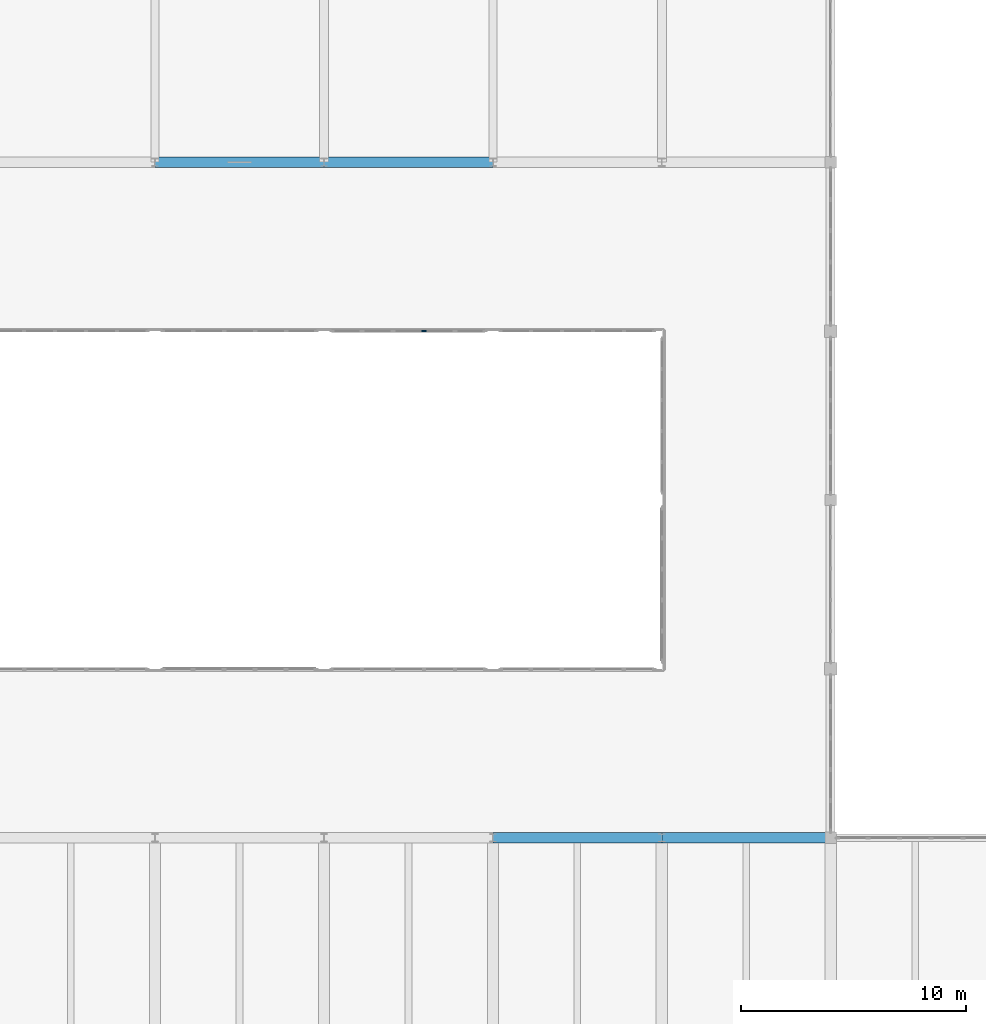
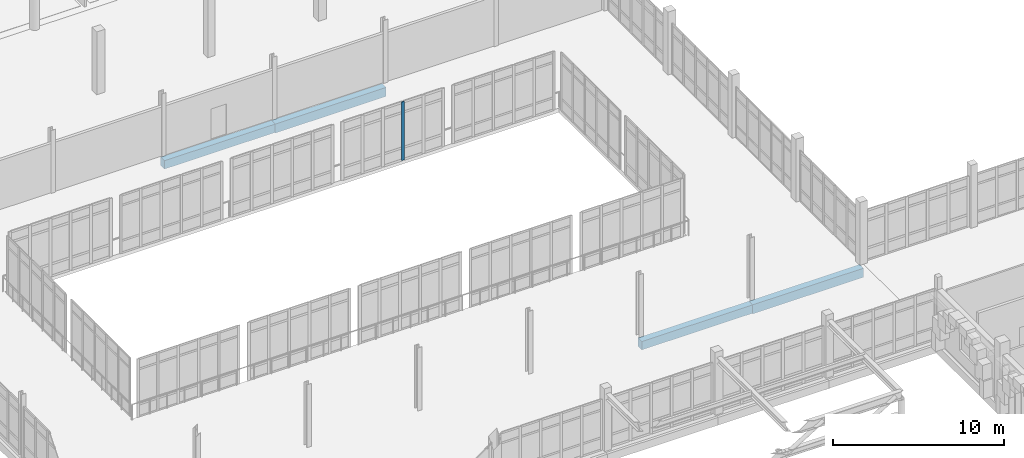
# One storey, part 37 of 128: 4 beams, 1 member, 1 element without a shape of its own.
"""IFC4 building model written with IfcOpenShell, lengths in metres."""

from ifc_helpers import new_model, si_unit, direction, frame, origin, origin_2d, place, context, subcontext, project, spatial, rectangle, extrude, material, layer, layer_set, material_profile, profile_set, type_object, element, aggregate, save


model = new_model("IFC4")

# Units and contexts
model_context = context("Model", 3, precision=1e-05, world=origin(), true_north=direction((0.0, 1.0)))
body_context = subcontext(model_context, "Body", "Model", "MODEL_VIEW")
ifc_project = project(units=[si_unit("LENGTHUNIT", "METRE"), si_unit("AREAUNIT", "SQUARE_METRE"), si_unit("VOLUMEUNIT", "CUBIC_METRE"), si_unit("PLANEANGLEUNIT", "RADIAN"), si_unit("MASSUNIT", "GRAM", prefix="KILO")], contexts=[model_context])

# Site, building, storey
site_placement = place(None, origin())
site = spatial("IfcSite", under=ifc_project, at=site_placement, CompositionType="ELEMENT")
building_placement = place(site_placement, origin())
building = spatial("IfcBuilding", under=site, at=building_placement, Name="Dalvernix Boulevard General Hospital", CompositionType="ELEMENT")
storey_placement = place(building_placement, frame((0.0, 0.0, 4.800048828125)))
storey = spatial("IfcBuildingStorey", under=building, at=storey_placement, Name="L01", CompositionType="ELEMENT", Elevation=4.800048828125)

# Beams
ifc_material_1 = material(Name="Concrete C35/45", Category="concrete")
ifc_material_profile_1 = material_profile(ifc_material_1, rectangle(XDim=0.449951171875, YDim=0.64990234375, at=origin_2d()), Name="RCB 450x650")
ifc_profile_set_1 = profile_set([ifc_material_profile_1], Name="Concrete C35/45")
beam_type_1 = type_object("IfcBeamType", Name="BM-B-03-I", PredefinedType="BEAM", material=ifc_profile_set_1)
for number, where, z_axis, x_axis, name in (
    (1, (105.0, 31.5, -0.625), (1.0, 0.0, 0.0), (0.0, 1.0, 0.0), "L01 E-W girder E:15-16"),
    (2, (90.0, 61.5, -0.625), (1.0, 0.0, 0.0), (0.0, 1.0, 0.0), "L01 E-W girder J:13-14"),
):
    element("IfcBeam", number, at=place(storey_placement, frame(where, z_axis=z_axis, x_axis=x_axis)), inside=storey, type_object=beam_type_1, Name=name, PredefinedType="BEAM", context=body_context, shape_type="SweptSolid", body=[
        extrude(rectangle(XDim=0.449951171875, YDim=0.64990234375, at=origin_2d()), origin(), (0.0, 0.0, 1.0), 7.5),
    ])
ifc_material_profile_2 = material_profile(ifc_material_1, rectangle(XDim=0.449951171875, YDim=0.60009765625, at=origin_2d()), Name="RCB 450x600")
ifc_profile_set_2 = profile_set([ifc_material_profile_2], Name="Concrete C35/45")
beam_type_2 = type_object("IfcBeamType", Name="BM-B-04-I", PredefinedType="BEAM", material=ifc_profile_set_2)
for number, where, z_axis, x_axis, name in (
    (3, (97.5, 31.5, -0.60009765625), (1.0, 0.0, 0.0), (0.0, 1.0, 0.0), "L01 E-W girder E:14-15"),
    (4, (82.5, 61.5, -0.60009765625), (1.0, 0.0, 0.0), (0.0, 1.0, 0.0), "L01 E-W girder J:12-13"),
):
    element("IfcBeam", number, at=place(storey_placement, frame(where, z_axis=z_axis, x_axis=x_axis)), inside=storey, type_object=beam_type_2, Name=name, PredefinedType="BEAM", context=body_context, shape_type="SweptSolid", body=[
        extrude(rectangle(XDim=0.449951171875, YDim=0.60009765625, at=origin_2d()), origin(), (0.0, 0.0, 1.0), 7.5),
    ])

# Curtain wall, member
ifc_material_2 = material(Name="Thermally broken aluminium and solar-control glass curtain wall", Category="aluminium")
ifc_layer = layer(ifc_material_2, 0.199951171875)
ifc_layer_set = layer_set([ifc_layer], Name="Thermally broken aluminium and solar-control glass curtain wall (CW-CW-C-69x42)")
curtain_wall_type = type_object("IfcCurtainWallType", Name="CW-CW-C-69x42", PredefinedType="USERDEFINED", material=ifc_layer_set)
curtain_wall_placement = place(storey_placement, origin())
curtain_wall = element("IfcCurtainWall", 5, at=curtain_wall_placement, inside=storey, type_object=curtain_wall_type, Name="L01 curtain wall CW-C-69x42 12-7", ObjectType="GLAZED FACADE", PredefinedType="USERDEFINED")
ifc_material_3 = material(Name="Aluminium EN AW-6060", Category="aluminium")
ifc_material_profile_3 = material_profile(ifc_material_3, rectangle(XDim=0.070068359375, YDim=0.199951171875, at=origin_2d()), Name="ALU MULL 70x200")
ifc_profile_set_3 = profile_set([ifc_material_profile_3], Name="Aluminium EN AW-6060")
member_type = type_object("IfcMemberType", Name="MEM-CW-M3", PredefinedType="MULLION", material=ifc_profile_set_3)
member_placement = place(storey_placement, frame((94.43798828125, 54.0, 0.0), z_axis=(0.0, 0.0, 1.0), x_axis=(0.0, -1.0, 0.0)))
member = element("IfcMember", 6, at=member_placement, type_object=member_type, Name="CW-C-69x42 mullion 3", PredefinedType="MULLION", context=body_context, shape_type="SweptSolid", body=[
    extrude(rectangle(XDim=0.070068359375, YDim=0.199951171875, at=origin_2d()), origin(), (0.0, 0.0, 1.0), 4.179931640625),
])
aggregate(curtain_wall, [member])

save(model, "model.ifc")
